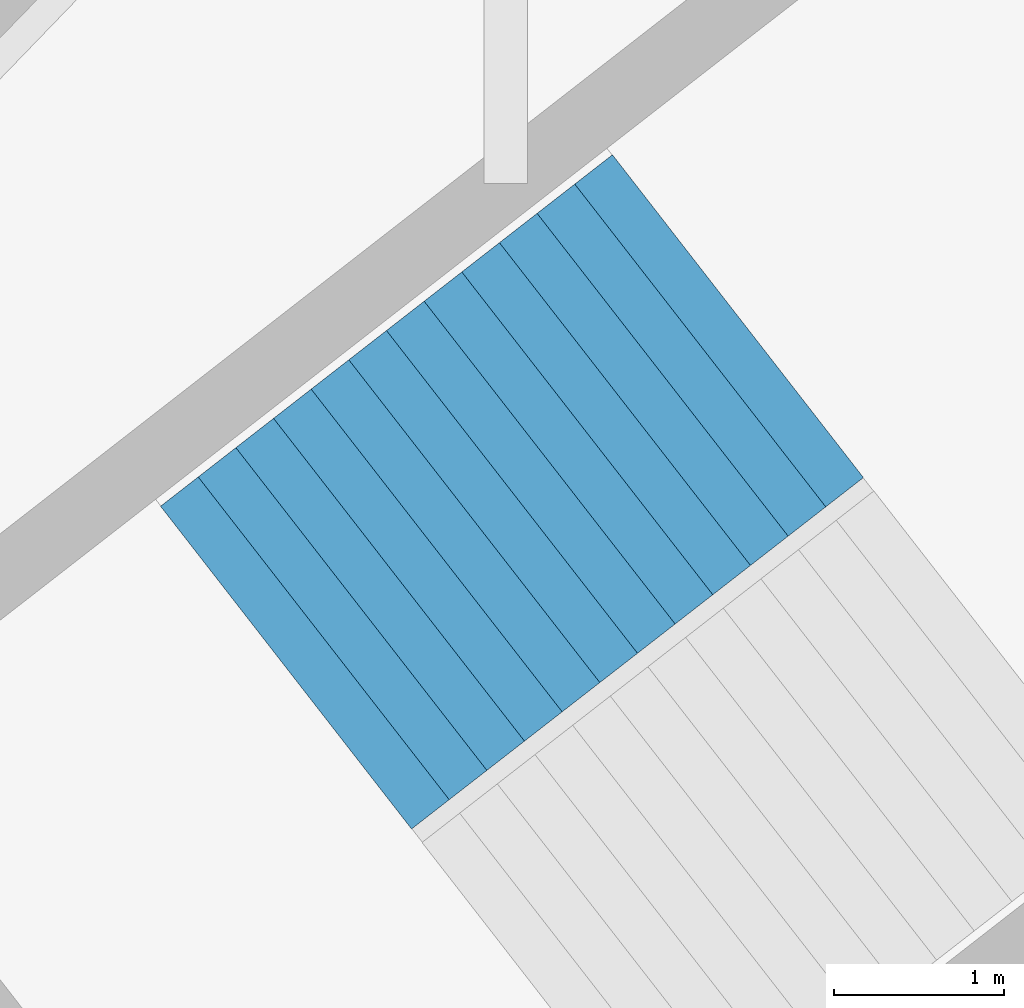
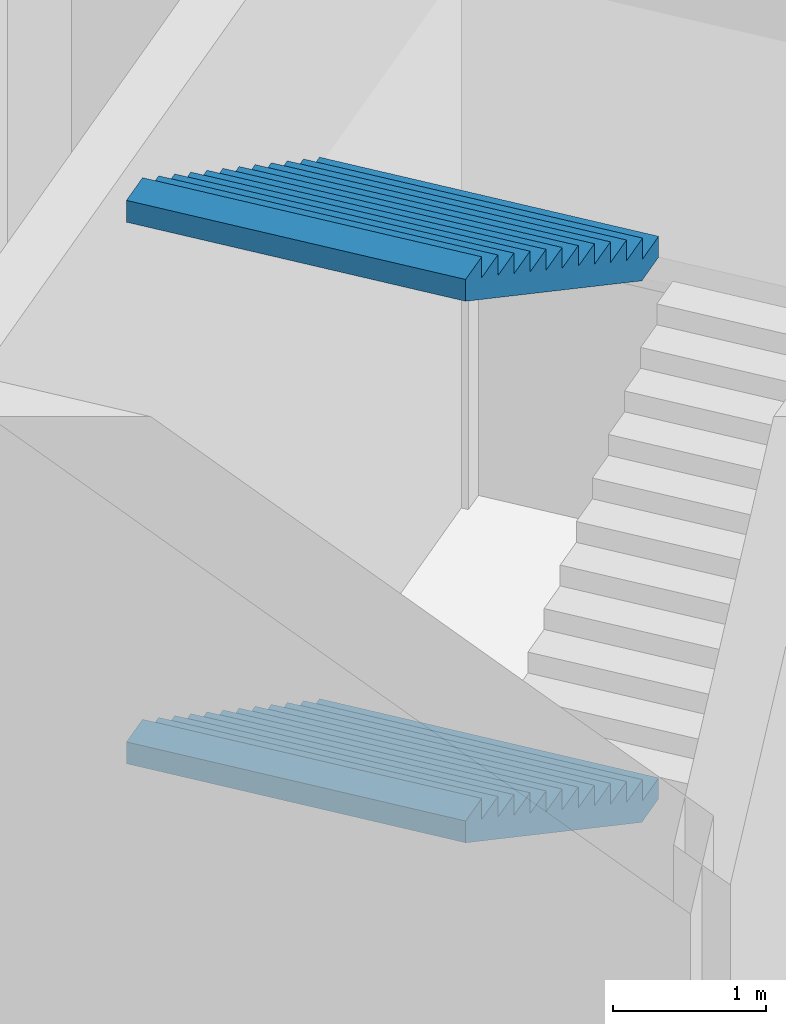
# One storey, part 43 of 47: 2 stair flights, 1 element without a shape of its own.
"""IFC4 building model written with IfcOpenShell, lengths in metres."""

from ifc_helpers import new_model, si_unit, direction, frame, origin, place, context, subcontext, project, spatial, triangles, material, type_object, element, aggregate, save


model = new_model("IFC4")

# Units and contexts
model_context = context("Model", 3, precision=1e-05, world=origin(), true_north=direction((0.0, 1.0)))
body_context = subcontext(model_context, "Body", "Model", "MODEL_VIEW")
ifc_project = project(units=[si_unit("LENGTHUNIT", "METRE"), si_unit("AREAUNIT", "SQUARE_METRE"), si_unit("VOLUMEUNIT", "CUBIC_METRE"), si_unit("PLANEANGLEUNIT", "RADIAN"), si_unit("MASSUNIT", "GRAM", prefix="KILO")], contexts=[model_context])

# Site, building, storey
site_placement = place(None, origin())
site = spatial("IfcSite", under=ifc_project, at=site_placement, CompositionType="ELEMENT")
building_placement = place(site_placement, origin())
building = spatial("IfcBuilding", under=site, at=building_placement, Name="Lantaw Convention Tower", CompositionType="ELEMENT")
storey_placement = place(building_placement, origin())
storey = spatial("IfcBuildingStorey", under=building, at=storey_placement, Name="L00", CompositionType="ELEMENT", Elevation=0.0)

# Stair, stair flights
ifc_material = material(Name="Concrete C35/45", Category="concrete")
stair_type = type_object("IfcStairType", Name="Exit stair 2400 riser 166.67 in 3 flights", PredefinedType="HALF_TURN_STAIR", material=ifc_material)
stair_placement = place(storey_placement, origin())
stair = element("IfcStair", 1, at=stair_placement, inside=storey, type_object=stair_type, Name="Podium exit stair P3 L00", PredefinedType="HALF_TURN_STAIR")
stair_flight_type = type_object("IfcStairFlightType", Name="Stair flight 2400 riser 166.67", PredefinedType="STRAIGHT", material=ifc_material)
stair_flight_1_placement = place(storey_placement, frame((30.612060546875, 25.390625, 0.0), z_axis=(0.0, 0.0, 1.0), x_axis=(-0.789378829664, -0.613906396186, 0.0)))
stair_flight_1 = element("IfcStairFlight", 2, at=stair_flight_1_placement, type_object=stair_flight_type, Name="P3 flight 1", NumberOfRisers=13, NumberOfTreads=12, PredefinedType="STRAIGHT", RiserHeight=0.166666667, TreadLength=0.28, context=body_context, shape_type="Tessellation", body=[
    triangles([(0.0, 1.199951171875, 0.0), (0.0, 1.199951171875, 0.166666667), (0.28, 1.199951171875, 0.0), (0.28, 1.199951171875, 0.166666667), (0.28, 1.199951171875, 0.333333334), (0.29307345806906815, 1.199951171875, 0.0), (0.29307345806906815, 1.199951171875, 0.333333334), (0.56, 1.199951171875, 0.15888484670522912), (0.56, 1.199951171875, 0.333333334), (0.56, 1.199951171875, 0.500000001), (0.8400000000000001, 1.199951171875, 0.3255515137052291), (0.8400000000000001, 1.199951171875, 0.500000001), (0.8400000000000001, 1.199951171875, 0.666666668), (1.12, 1.199951171875, 0.49221818070522905), (1.12, 1.199951171875, 0.666666668), (1.12, 1.199951171875, 0.833333335), (1.4000000000000001, 1.199951171875, 0.658884847705229), (1.4000000000000001, 1.199951171875, 0.833333335), (1.4000000000000001, 1.199951171875, 1.000000002), (1.6800000000000002, 1.199951171875, 0.825551514705229), (1.6800000000000002, 1.199951171875, 1.000000002), (1.6800000000000002, 1.199951171875, 1.166666669), (1.9600000000000002, 1.199951171875, 0.992218181705229), (1.9600000000000002, 1.199951171875, 1.166666669), (1.9600000000000002, 1.199951171875, 1.333333336), (2.24, 1.199951171875, 1.158884848705229), (2.24, 1.199951171875, 1.333333336), (2.24, 1.199951171875, 1.5000000029999998), (2.5200000000000005, 1.199951171875, 1.325551515705229), (2.5200000000000005, 1.199951171875, 1.5000000029999998), (2.5200000000000005, 1.199951171875, 1.66666667), (2.8000000000000003, 1.199951171875, 1.492218182705229), (2.8000000000000003, 1.199951171875, 1.66666667), (2.8000000000000003, 1.199951171875, 1.833333337), (3.08, 1.199951171875, 1.6588848497052289), (3.08, 1.199951171875, 1.833333337), (3.08, 1.199951171875, 2.000000004), (3.3600000000000003, 1.199951171875, 1.825551516705229), (3.3600000000000003, 1.199951171875, 2.000000004), (0.0, -1.199951171875, 0.0), (0.0, -1.199951171875, 0.166666667), (0.28, -1.199951171875, 0.0), (0.28, -1.199951171875, 0.166666667), (0.28, -1.199951171875, 0.333333334), (0.29307345806906815, -1.199951171875, 0.0), (0.29307345806906815, -1.199951171875, 0.333333334), (0.56, -1.199951171875, 0.15888484670522912), (0.56, -1.199951171875, 0.333333334), (0.56, -1.199951171875, 0.500000001), (0.8400000000000001, -1.199951171875, 0.3255515137052291), (0.8400000000000001, -1.199951171875, 0.500000001), (0.8400000000000001, -1.199951171875, 0.666666668), (1.12, -1.199951171875, 0.49221818070522905), (1.12, -1.199951171875, 0.666666668), (1.12, -1.199951171875, 0.833333335), (1.4000000000000001, -1.199951171875, 0.658884847705229), (1.4000000000000001, -1.199951171875, 0.833333335), (1.4000000000000001, -1.199951171875, 1.000000002), (1.6800000000000002, -1.199951171875, 0.825551514705229), (1.6800000000000002, -1.199951171875, 1.000000002), (1.6800000000000002, -1.199951171875, 1.166666669), (1.9600000000000002, -1.199951171875, 0.992218181705229), (1.9600000000000002, -1.199951171875, 1.166666669), (1.9600000000000002, -1.199951171875, 1.333333336), (2.24, -1.199951171875, 1.158884848705229), (2.24, -1.199951171875, 1.333333336), (2.24, -1.199951171875, 1.5000000029999998), (2.5200000000000005, -1.199951171875, 1.325551515705229), (2.5200000000000005, -1.199951171875, 1.5000000029999998), (2.5200000000000005, -1.199951171875, 1.66666667), (2.8000000000000003, -1.199951171875, 1.492218182705229), (2.8000000000000003, -1.199951171875, 1.66666667), (2.8000000000000003, -1.199951171875, 1.833333337), (3.08, -1.199951171875, 1.6588848497052289), (3.08, -1.199951171875, 1.833333337), (3.08, -1.199951171875, 2.000000004), (3.3600000000000003, -1.199951171875, 1.825551516705229), (3.3600000000000003, -1.199951171875, 2.000000004), (0.0, 0.239990234375, 0.166666667), (0.0, 0.239990234375, 0.0), (0.0, 0.0, 0.166666667), (0.0, 0.0, 0.0), (0.0, -0.239990234375, 0.166666667), (0.0, -0.239990234375, 0.0), (0.28, 0.239990234375, 0.333333334), (0.28, 0.239990234375, 0.166666667), (0.28, 0.0, 0.333333334), (0.28, 0.0, 0.166666667), (0.28, -0.239990234375, 0.333333334), (0.28, -0.239990234375, 0.166666667), (0.56, 0.239990234375, 0.500000001), (0.56, 0.239990234375, 0.333333334), (0.56, 0.0, 0.500000001), (0.56, 0.0, 0.333333334), (0.56, -0.239990234375, 0.500000001), (0.56, -0.239990234375, 0.333333334), (0.8400000000000001, 0.239990234375, 0.666666668), (0.8400000000000001, 0.239990234375, 0.500000001), (0.8400000000000001, 0.0, 0.666666668), (0.8400000000000001, 0.0, 0.500000001), (0.8400000000000001, -0.239990234375, 0.666666668), (0.8400000000000001, -0.239990234375, 0.500000001), (1.12, 0.239990234375, 0.833333335), (1.12, 0.239990234375, 0.666666668), (1.12, 0.0, 0.833333335), (1.12, 0.0, 0.666666668), (1.12, -0.239990234375, 0.833333335), (1.12, -0.239990234375, 0.666666668), (1.4000000000000001, 0.239990234375, 1.000000002), (1.4000000000000001, 0.239990234375, 0.833333335), (1.4000000000000001, 0.0, 1.000000002), (1.4000000000000001, 0.0, 0.833333335), (1.4000000000000001, -0.239990234375, 1.000000002), (1.4000000000000001, -0.239990234375, 0.833333335), (1.6800000000000002, 0.239990234375, 1.166666669), (1.6800000000000002, 0.239990234375, 1.000000002), (1.6800000000000002, 0.0, 1.166666669), (1.6800000000000002, 0.0, 1.000000002), (1.6800000000000002, -0.239990234375, 1.166666669), (1.6800000000000002, -0.239990234375, 1.000000002), (1.9600000000000002, 0.239990234375, 1.333333336), (1.9600000000000002, 0.239990234375, 1.166666669), (1.9600000000000002, 0.0, 1.333333336), (1.9600000000000002, 0.0, 1.166666669), (1.9600000000000002, -0.239990234375, 1.333333336), (1.9600000000000002, -0.239990234375, 1.166666669), (2.24, 0.239990234375, 1.5000000029999998), (2.24, 0.239990234375, 1.333333336), (2.24, 0.0, 1.5000000029999998), (2.24, 0.0, 1.333333336), (2.24, -0.239990234375, 1.5000000029999998), (2.24, -0.239990234375, 1.333333336), (2.5200000000000005, 0.239990234375, 1.66666667), (2.5200000000000005, 0.239990234375, 1.5000000029999998), (2.5200000000000005, 0.0, 1.66666667), (2.5200000000000005, 0.0, 1.5000000029999998), (2.5200000000000005, -0.239990234375, 1.66666667), (2.5200000000000005, -0.239990234375, 1.5000000029999998), (2.8000000000000003, 0.239990234375, 1.833333337), (2.8000000000000003, 0.239990234375, 1.66666667), (2.8000000000000003, 0.0, 1.833333337), (2.8000000000000003, 0.0, 1.66666667), (2.8000000000000003, -0.239990234375, 1.833333337), (2.8000000000000003, -0.239990234375, 1.66666667), (3.08, 0.239990234375, 2.000000004), (3.08, 0.239990234375, 1.833333337), (3.08, 0.0, 2.000000004), (3.08, 0.0, 1.833333337), (3.08, -0.239990234375, 2.000000004), (3.08, -0.239990234375, 1.833333337), (0.29307345806906815, 0.239990234375, 0.333333334), (0.29307345806906815, 0.0, 0.333333334), (0.29307345806906815, -0.239990234375, 0.333333334), (3.3600000000000003, 0.239990234375, 2.000000004), (3.3600000000000003, 0.0, 2.000000004), (3.3600000000000003, -0.239990234375, 2.000000004), (3.3600000000000003, 0.239990234375, 1.8255515167052292), (3.3600000000000003, 0.0, 1.8255515167052292), (3.3600000000000003, -0.239990234375, 1.8255515167052292), (3.08, 0.239990234375, 1.6588848497052289), (3.08, 0.0, 1.6588848497052289), (3.08, -0.239990234375, 1.6588848497052289), (2.8000000000000003, 0.239990234375, 1.492218182705229), (2.8000000000000003, 0.0, 1.492218182705229), (2.8000000000000003, -0.239990234375, 1.492218182705229), (2.5200000000000005, 0.239990234375, 1.325551515705229), (2.5200000000000005, 0.0, 1.325551515705229), (2.5200000000000005, -0.239990234375, 1.325551515705229), (2.24, 0.239990234375, 1.158884848705229), (2.24, 0.0, 1.158884848705229), (2.24, -0.239990234375, 1.158884848705229), (1.9600000000000002, 0.239990234375, 0.992218181705229), (1.9600000000000002, 0.0, 0.992218181705229), (1.9600000000000002, -0.239990234375, 0.992218181705229), (1.6800000000000002, 0.239990234375, 0.825551514705229), (1.6800000000000002, 0.0, 0.825551514705229), (1.6800000000000002, -0.239990234375, 0.825551514705229), (1.4000000000000001, 0.239990234375, 0.658884847705229), (1.4000000000000001, 0.0, 0.658884847705229), (1.4000000000000001, -0.239990234375, 0.658884847705229), (1.12, 0.239990234375, 0.49221818070522905), (1.12, 0.0, 0.49221818070522905), (1.12, -0.239990234375, 0.49221818070522905), (0.8400000000000001, 0.239990234375, 0.3255515137052291), (0.8400000000000001, 0.0, 0.3255515137052291), (0.8400000000000001, -0.239990234375, 0.3255515137052291), (0.56, 0.239990234375, 0.15888484670522912), (0.56, 0.0, 0.15888484670522912), (0.56, -0.239990234375, 0.15888484670522912), (0.29307345806906815, 0.239990234375, 0.0), (0.29307345806906815, 0.0, 0.0), (0.29307345806906815, -0.239990234375, 0.0), (0.28, 0.239990234375, 0.0), (0.28, 0.0, 0.0), (0.28, -0.239990234375, 0.0)], [[1, 4, 3], [1, 2, 4], [3, 4, 6], [4, 7, 6], [4, 5, 7], [6, 9, 8], [6, 7, 9], [8, 9, 11], [9, 12, 11], [9, 10, 12], [11, 12, 14], [12, 15, 14], [12, 13, 15], [14, 15, 17], [15, 18, 17], [15, 16, 18], [17, 18, 20], [18, 21, 20], [18, 19, 21], [20, 21, 23], [21, 24, 23], [21, 22, 24], [23, 24, 26], [24, 27, 26], [24, 25, 27], [26, 27, 29], [27, 30, 29], [27, 28, 30], [29, 30, 32], [30, 33, 32], [30, 31, 33], [32, 33, 35], [33, 36, 35], [33, 34, 36], [35, 36, 38], [36, 39, 38], [36, 37, 39], [40, 42, 43], [40, 43, 41], [42, 45, 43], [43, 45, 46], [43, 46, 44], [45, 47, 48], [45, 48, 46], [47, 50, 48], [48, 50, 51], [48, 51, 49], [50, 53, 51], [51, 53, 54], [51, 54, 52], [53, 56, 54], [54, 56, 57], [54, 57, 55], [56, 59, 57], [57, 59, 60], [57, 60, 58], [59, 62, 60], [60, 62, 63], [60, 63, 61], [62, 65, 63], [63, 65, 66], [63, 66, 64], [65, 68, 66], [66, 68, 69], [66, 69, 67], [68, 71, 69], [69, 71, 72], [69, 72, 70], [71, 74, 72], [72, 74, 75], [72, 75, 73], [74, 77, 75], [75, 77, 78], [75, 78, 76], [1, 79, 2], [1, 80, 79], [80, 81, 79], [80, 82, 81], [82, 83, 81], [82, 84, 83], [84, 41, 83], [84, 40, 41], [4, 85, 5], [4, 86, 85], [86, 87, 85], [86, 88, 87], [88, 89, 87], [88, 90, 89], [90, 44, 89], [90, 43, 44], [9, 91, 10], [9, 92, 91], [92, 93, 91], [92, 94, 93], [94, 95, 93], [94, 96, 95], [96, 49, 95], [96, 48, 49], [12, 97, 13], [12, 98, 97], [98, 99, 97], [98, 100, 99], [100, 101, 99], [100, 102, 101], [102, 52, 101], [102, 51, 52], [15, 103, 16], [15, 104, 103], [104, 105, 103], [104, 106, 105], [106, 107, 105], [106, 108, 107], [108, 55, 107], [108, 54, 55], [18, 109, 19], [18, 110, 109], [110, 111, 109], [110, 112, 111], [112, 113, 111], [112, 114, 113], [114, 58, 113], [114, 57, 58], [21, 115, 22], [21, 116, 115], [116, 117, 115], [116, 118, 117], [118, 119, 117], [118, 120, 119], [120, 61, 119], [120, 60, 61], [24, 121, 25], [24, 122, 121], [122, 123, 121], [122, 124, 123], [124, 125, 123], [124, 126, 125], [126, 64, 125], [126, 63, 64], [27, 127, 28], [27, 128, 127], [128, 129, 127], [128, 130, 129], [130, 131, 129], [130, 132, 131], [132, 67, 131], [132, 66, 67], [30, 133, 31], [30, 134, 133], [134, 135, 133], [134, 136, 135], [136, 137, 135], [136, 138, 137], [138, 70, 137], [138, 69, 70], [33, 139, 34], [33, 140, 139], [140, 141, 139], [140, 142, 141], [142, 143, 141], [142, 144, 143], [144, 73, 143], [144, 72, 73], [36, 145, 37], [36, 146, 145], [146, 147, 145], [146, 148, 147], [148, 149, 147], [148, 150, 149], [150, 76, 149], [150, 75, 76], [2, 86, 4], [2, 79, 86], [79, 88, 86], [79, 81, 88], [81, 90, 88], [81, 83, 90], [83, 43, 90], [83, 41, 43], [5, 151, 7], [5, 85, 151], [85, 152, 151], [85, 87, 152], [87, 153, 152], [87, 89, 153], [89, 46, 153], [89, 44, 46], [7, 92, 9], [7, 151, 92], [151, 94, 92], [151, 152, 94], [152, 96, 94], [152, 153, 96], [153, 48, 96], [153, 46, 48], [10, 98, 12], [10, 91, 98], [91, 100, 98], [91, 93, 100], [93, 102, 100], [93, 95, 102], [95, 51, 102], [95, 49, 51], [13, 104, 15], [13, 97, 104], [97, 106, 104], [97, 99, 106], [99, 108, 106], [99, 101, 108], [101, 54, 108], [101, 52, 54], [16, 110, 18], [16, 103, 110], [103, 112, 110], [103, 105, 112], [105, 114, 112], [105, 107, 114], [107, 57, 114], [107, 55, 57], [19, 116, 21], [19, 109, 116], [109, 118, 116], [109, 111, 118], [111, 120, 118], [111, 113, 120], [113, 60, 120], [113, 58, 60], [22, 122, 24], [22, 115, 122], [115, 124, 122], [115, 117, 124], [117, 126, 124], [117, 119, 126], [119, 63, 126], [119, 61, 63], [25, 128, 27], [25, 121, 128], [121, 130, 128], [121, 123, 130], [123, 132, 130], [123, 125, 132], [125, 66, 132], [125, 64, 66], [28, 134, 30], [28, 127, 134], [127, 136, 134], [127, 129, 136], [129, 138, 136], [129, 131, 138], [131, 69, 138], [131, 67, 69], [31, 140, 33], [31, 133, 140], [133, 142, 140], [133, 135, 142], [135, 144, 142], [135, 137, 144], [137, 72, 144], [137, 70, 72], [34, 146, 36], [34, 139, 146], [139, 148, 146], [139, 141, 148], [141, 150, 148], [141, 143, 150], [143, 75, 150], [143, 73, 75], [37, 154, 39], [37, 145, 154], [145, 155, 154], [145, 147, 155], [147, 156, 155], [147, 149, 156], [149, 78, 156], [149, 76, 78], [39, 157, 38], [39, 154, 157], [154, 158, 157], [154, 155, 158], [155, 159, 158], [155, 156, 159], [156, 77, 159], [156, 78, 77], [38, 160, 35], [38, 157, 160], [157, 161, 160], [157, 158, 161], [158, 162, 161], [158, 159, 162], [159, 74, 162], [159, 77, 74], [35, 163, 32], [35, 160, 163], [160, 164, 163], [160, 161, 164], [161, 165, 164], [161, 162, 165], [162, 71, 165], [162, 74, 71], [32, 166, 29], [32, 163, 166], [163, 167, 166], [163, 164, 167], [164, 168, 167], [164, 165, 168], [165, 68, 168], [165, 71, 68], [29, 169, 26], [29, 166, 169], [166, 170, 169], [166, 167, 170], [167, 171, 170], [167, 168, 171], [168, 65, 171], [168, 68, 65], [26, 172, 23], [26, 169, 172], [169, 173, 172], [169, 170, 173], [170, 174, 173], [170, 171, 174], [171, 62, 174], [171, 65, 62], [23, 175, 20], [23, 172, 175], [172, 176, 175], [172, 173, 176], [173, 177, 176], [173, 174, 177], [174, 59, 177], [174, 62, 59], [20, 178, 17], [20, 175, 178], [175, 179, 178], [175, 176, 179], [176, 180, 179], [176, 177, 180], [177, 56, 180], [177, 59, 56], [17, 181, 14], [17, 178, 181], [178, 182, 181], [178, 179, 182], [179, 183, 182], [179, 180, 183], [180, 53, 183], [180, 56, 53], [14, 184, 11], [14, 181, 184], [181, 185, 184], [181, 182, 185], [182, 186, 185], [182, 183, 186], [183, 50, 186], [183, 53, 50], [11, 187, 8], [11, 184, 187], [184, 188, 187], [184, 185, 188], [185, 189, 188], [185, 186, 189], [186, 47, 189], [186, 50, 47], [8, 190, 6], [8, 187, 190], [187, 191, 190], [187, 188, 191], [188, 192, 191], [188, 189, 192], [189, 45, 192], [189, 47, 45], [6, 193, 3], [6, 190, 193], [190, 194, 193], [190, 191, 194], [191, 195, 194], [191, 192, 195], [192, 42, 195], [192, 45, 42], [3, 80, 1], [3, 193, 80], [193, 82, 80], [193, 194, 82], [194, 84, 82], [194, 195, 84], [195, 40, 84], [195, 42, 40]], closed=True),
])
stair_flight_2_placement = place(storey_placement, frame((30.612060546875, 25.390625, 4.333251953125), z_axis=(0.0, 0.0, 1.0), x_axis=(-0.789378829664, -0.613906396186, 0.0)))
stair_flight_2 = element("IfcStairFlight", 3, at=stair_flight_2_placement, type_object=stair_flight_type, Name="P3 flight 3", NumberOfRisers=13, NumberOfTreads=12, PredefinedType="STRAIGHT", RiserHeight=0.166666667, TreadLength=0.28, context=body_context, shape_type="Tessellation", body=[
    triangles([(0.0, 1.199951171875, 0.0), (0.0, 1.199951171875, 0.166666667), (0.28, 1.199951171875, 0.0), (0.28, 1.199951171875, 0.166666667), (0.28, 1.199951171875, 0.333333334), (0.29307345806906815, 1.199951171875, 0.0), (0.29307345806906815, 1.199951171875, 0.333333334), (0.56, 1.199951171875, 0.15888484670522912), (0.56, 1.199951171875, 0.333333334), (0.56, 1.199951171875, 0.500000001), (0.8400000000000001, 1.199951171875, 0.3255515137052291), (0.8400000000000001, 1.199951171875, 0.500000001), (0.8400000000000001, 1.199951171875, 0.666666668), (1.12, 1.199951171875, 0.49221818070522905), (1.12, 1.199951171875, 0.666666668), (1.12, 1.199951171875, 0.833333335), (1.4000000000000001, 1.199951171875, 0.658884847705229), (1.4000000000000001, 1.199951171875, 0.833333335), (1.4000000000000001, 1.199951171875, 1.000000002), (1.6800000000000002, 1.199951171875, 0.825551514705229), (1.6800000000000002, 1.199951171875, 1.000000002), (1.6800000000000002, 1.199951171875, 1.166666669), (1.9600000000000002, 1.199951171875, 0.992218181705229), (1.9600000000000002, 1.199951171875, 1.166666669), (1.9600000000000002, 1.199951171875, 1.333333336), (2.24, 1.199951171875, 1.158884848705229), (2.24, 1.199951171875, 1.333333336), (2.24, 1.199951171875, 1.5000000029999998), (2.5200000000000005, 1.199951171875, 1.325551515705229), (2.5200000000000005, 1.199951171875, 1.5000000029999998), (2.5200000000000005, 1.199951171875, 1.66666667), (2.8000000000000003, 1.199951171875, 1.492218182705229), (2.8000000000000003, 1.199951171875, 1.66666667), (2.8000000000000003, 1.199951171875, 1.833333337), (3.08, 1.199951171875, 1.6588848497052289), (3.08, 1.199951171875, 1.833333337), (3.08, 1.199951171875, 2.000000004), (3.3600000000000003, 1.199951171875, 1.825551516705229), (3.3600000000000003, 1.199951171875, 2.000000004), (0.0, -1.199951171875, 0.0), (0.0, -1.199951171875, 0.166666667), (0.28, -1.199951171875, 0.0), (0.28, -1.199951171875, 0.166666667), (0.28, -1.199951171875, 0.333333334), (0.29307345806906815, -1.199951171875, 0.0), (0.29307345806906815, -1.199951171875, 0.333333334), (0.56, -1.199951171875, 0.15888484670522912), (0.56, -1.199951171875, 0.333333334), (0.56, -1.199951171875, 0.500000001), (0.8400000000000001, -1.199951171875, 0.3255515137052291), (0.8400000000000001, -1.199951171875, 0.500000001), (0.8400000000000001, -1.199951171875, 0.666666668), (1.12, -1.199951171875, 0.49221818070522905), (1.12, -1.199951171875, 0.666666668), (1.12, -1.199951171875, 0.833333335), (1.4000000000000001, -1.199951171875, 0.658884847705229), (1.4000000000000001, -1.199951171875, 0.833333335), (1.4000000000000001, -1.199951171875, 1.000000002), (1.6800000000000002, -1.199951171875, 0.825551514705229), (1.6800000000000002, -1.199951171875, 1.000000002), (1.6800000000000002, -1.199951171875, 1.166666669), (1.9600000000000002, -1.199951171875, 0.992218181705229), (1.9600000000000002, -1.199951171875, 1.166666669), (1.9600000000000002, -1.199951171875, 1.333333336), (2.24, -1.199951171875, 1.158884848705229), (2.24, -1.199951171875, 1.333333336), (2.24, -1.199951171875, 1.5000000029999998), (2.5200000000000005, -1.199951171875, 1.325551515705229), (2.5200000000000005, -1.199951171875, 1.5000000029999998), (2.5200000000000005, -1.199951171875, 1.66666667), (2.8000000000000003, -1.199951171875, 1.492218182705229), (2.8000000000000003, -1.199951171875, 1.66666667), (2.8000000000000003, -1.199951171875, 1.833333337), (3.08, -1.199951171875, 1.6588848497052289), (3.08, -1.199951171875, 1.833333337), (3.08, -1.199951171875, 2.000000004), (3.3600000000000003, -1.199951171875, 1.825551516705229), (3.3600000000000003, -1.199951171875, 2.000000004), (0.0, 0.239990234375, 0.166666667), (0.0, 0.239990234375, 0.0), (0.0, 0.0, 0.166666667), (0.0, 0.0, 0.0), (0.0, -0.239990234375, 0.166666667), (0.0, -0.239990234375, 0.0), (0.28, 0.239990234375, 0.333333334), (0.28, 0.239990234375, 0.166666667), (0.28, 0.0, 0.333333334), (0.28, 0.0, 0.166666667), (0.28, -0.239990234375, 0.333333334), (0.28, -0.239990234375, 0.166666667), (0.56, 0.239990234375, 0.500000001), (0.56, 0.239990234375, 0.333333334), (0.56, 0.0, 0.500000001), (0.56, 0.0, 0.333333334), (0.56, -0.239990234375, 0.500000001), (0.56, -0.239990234375, 0.333333334), (0.8400000000000001, 0.239990234375, 0.666666668), (0.8400000000000001, 0.239990234375, 0.500000001), (0.8400000000000001, 0.0, 0.666666668), (0.8400000000000001, 0.0, 0.500000001), (0.8400000000000001, -0.239990234375, 0.666666668), (0.8400000000000001, -0.239990234375, 0.500000001), (1.12, 0.239990234375, 0.833333335), (1.12, 0.239990234375, 0.666666668), (1.12, 0.0, 0.833333335), (1.12, 0.0, 0.666666668), (1.12, -0.239990234375, 0.833333335), (1.12, -0.239990234375, 0.666666668), (1.4000000000000001, 0.239990234375, 1.000000002), (1.4000000000000001, 0.239990234375, 0.833333335), (1.4000000000000001, 0.0, 1.000000002), (1.4000000000000001, 0.0, 0.833333335), (1.4000000000000001, -0.239990234375, 1.000000002), (1.4000000000000001, -0.239990234375, 0.833333335), (1.6800000000000002, 0.239990234375, 1.166666669), (1.6800000000000002, 0.239990234375, 1.000000002), (1.6800000000000002, 0.0, 1.166666669), (1.6800000000000002, 0.0, 1.000000002), (1.6800000000000002, -0.239990234375, 1.166666669), (1.6800000000000002, -0.239990234375, 1.000000002), (1.9600000000000002, 0.239990234375, 1.333333336), (1.9600000000000002, 0.239990234375, 1.166666669), (1.9600000000000002, 0.0, 1.333333336), (1.9600000000000002, 0.0, 1.166666669), (1.9600000000000002, -0.239990234375, 1.333333336), (1.9600000000000002, -0.239990234375, 1.166666669), (2.24, 0.239990234375, 1.5000000029999998), (2.24, 0.239990234375, 1.333333336), (2.24, 0.0, 1.5000000029999998), (2.24, 0.0, 1.333333336), (2.24, -0.239990234375, 1.5000000029999998), (2.24, -0.239990234375, 1.333333336), (2.5200000000000005, 0.239990234375, 1.66666667), (2.5200000000000005, 0.239990234375, 1.5000000029999998), (2.5200000000000005, 0.0, 1.66666667), (2.5200000000000005, 0.0, 1.5000000029999998), (2.5200000000000005, -0.239990234375, 1.66666667), (2.5200000000000005, -0.239990234375, 1.5000000029999998), (2.8000000000000003, 0.239990234375, 1.833333337), (2.8000000000000003, 0.239990234375, 1.66666667), (2.8000000000000003, 0.0, 1.833333337), (2.8000000000000003, 0.0, 1.66666667), (2.8000000000000003, -0.239990234375, 1.833333337), (2.8000000000000003, -0.239990234375, 1.66666667), (3.08, 0.239990234375, 2.000000004), (3.08, 0.239990234375, 1.833333337), (3.08, 0.0, 2.000000004), (3.08, 0.0, 1.833333337), (3.08, -0.239990234375, 2.000000004), (3.08, -0.239990234375, 1.833333337), (0.29307345806906815, 0.239990234375, 0.333333334), (0.29307345806906815, 0.0, 0.333333334), (0.29307345806906815, -0.239990234375, 0.333333334), (3.3600000000000003, 0.239990234375, 2.000000004), (3.3600000000000003, 0.0, 2.000000004), (3.3600000000000003, -0.239990234375, 2.000000004), (3.3600000000000003, 0.239990234375, 1.8255515167052292), (3.3600000000000003, 0.0, 1.8255515167052292), (3.3600000000000003, -0.239990234375, 1.8255515167052292), (3.08, 0.239990234375, 1.6588848497052289), (3.08, 0.0, 1.6588848497052289), (3.08, -0.239990234375, 1.6588848497052289), (2.8000000000000003, 0.239990234375, 1.492218182705229), (2.8000000000000003, 0.0, 1.492218182705229), (2.8000000000000003, -0.239990234375, 1.492218182705229), (2.5200000000000005, 0.239990234375, 1.325551515705229), (2.5200000000000005, 0.0, 1.325551515705229), (2.5200000000000005, -0.239990234375, 1.325551515705229), (2.24, 0.239990234375, 1.158884848705229), (2.24, 0.0, 1.158884848705229), (2.24, -0.239990234375, 1.158884848705229), (1.9600000000000002, 0.239990234375, 0.992218181705229), (1.9600000000000002, 0.0, 0.992218181705229), (1.9600000000000002, -0.239990234375, 0.992218181705229), (1.6800000000000002, 0.239990234375, 0.825551514705229), (1.6800000000000002, 0.0, 0.825551514705229), (1.6800000000000002, -0.239990234375, 0.825551514705229), (1.4000000000000001, 0.239990234375, 0.658884847705229), (1.4000000000000001, 0.0, 0.658884847705229), (1.4000000000000001, -0.239990234375, 0.658884847705229), (1.12, 0.239990234375, 0.49221818070522905), (1.12, 0.0, 0.49221818070522905), (1.12, -0.239990234375, 0.49221818070522905), (0.8400000000000001, 0.239990234375, 0.3255515137052291), (0.8400000000000001, 0.0, 0.3255515137052291), (0.8400000000000001, -0.239990234375, 0.3255515137052291), (0.56, 0.239990234375, 0.15888484670522912), (0.56, 0.0, 0.15888484670522912), (0.56, -0.239990234375, 0.15888484670522912), (0.29307345806906815, 0.239990234375, 0.0), (0.29307345806906815, 0.0, 0.0), (0.29307345806906815, -0.239990234375, 0.0), (0.28, 0.239990234375, 0.0), (0.28, 0.0, 0.0), (0.28, -0.239990234375, 0.0)], [[1, 4, 3], [1, 2, 4], [3, 4, 6], [4, 7, 6], [4, 5, 7], [6, 9, 8], [6, 7, 9], [8, 9, 11], [9, 12, 11], [9, 10, 12], [11, 12, 14], [12, 15, 14], [12, 13, 15], [14, 15, 17], [15, 18, 17], [15, 16, 18], [17, 18, 20], [18, 21, 20], [18, 19, 21], [20, 21, 23], [21, 24, 23], [21, 22, 24], [23, 24, 26], [24, 27, 26], [24, 25, 27], [26, 27, 29], [27, 30, 29], [27, 28, 30], [29, 30, 32], [30, 33, 32], [30, 31, 33], [32, 33, 35], [33, 36, 35], [33, 34, 36], [35, 36, 38], [36, 39, 38], [36, 37, 39], [40, 42, 43], [40, 43, 41], [42, 45, 43], [43, 45, 46], [43, 46, 44], [45, 47, 48], [45, 48, 46], [47, 50, 48], [48, 50, 51], [48, 51, 49], [50, 53, 51], [51, 53, 54], [51, 54, 52], [53, 56, 54], [54, 56, 57], [54, 57, 55], [56, 59, 57], [57, 59, 60], [57, 60, 58], [59, 62, 60], [60, 62, 63], [60, 63, 61], [62, 65, 63], [63, 65, 66], [63, 66, 64], [65, 68, 66], [66, 68, 69], [66, 69, 67], [68, 71, 69], [69, 71, 72], [69, 72, 70], [71, 74, 72], [72, 74, 75], [72, 75, 73], [74, 77, 75], [75, 77, 78], [75, 78, 76], [1, 79, 2], [1, 80, 79], [80, 81, 79], [80, 82, 81], [82, 83, 81], [82, 84, 83], [84, 41, 83], [84, 40, 41], [4, 85, 5], [4, 86, 85], [86, 87, 85], [86, 88, 87], [88, 89, 87], [88, 90, 89], [90, 44, 89], [90, 43, 44], [9, 91, 10], [9, 92, 91], [92, 93, 91], [92, 94, 93], [94, 95, 93], [94, 96, 95], [96, 49, 95], [96, 48, 49], [12, 97, 13], [12, 98, 97], [98, 99, 97], [98, 100, 99], [100, 101, 99], [100, 102, 101], [102, 52, 101], [102, 51, 52], [15, 103, 16], [15, 104, 103], [104, 105, 103], [104, 106, 105], [106, 107, 105], [106, 108, 107], [108, 55, 107], [108, 54, 55], [18, 109, 19], [18, 110, 109], [110, 111, 109], [110, 112, 111], [112, 113, 111], [112, 114, 113], [114, 58, 113], [114, 57, 58], [21, 115, 22], [21, 116, 115], [116, 117, 115], [116, 118, 117], [118, 119, 117], [118, 120, 119], [120, 61, 119], [120, 60, 61], [24, 121, 25], [24, 122, 121], [122, 123, 121], [122, 124, 123], [124, 125, 123], [124, 126, 125], [126, 64, 125], [126, 63, 64], [27, 127, 28], [27, 128, 127], [128, 129, 127], [128, 130, 129], [130, 131, 129], [130, 132, 131], [132, 67, 131], [132, 66, 67], [30, 133, 31], [30, 134, 133], [134, 135, 133], [134, 136, 135], [136, 137, 135], [136, 138, 137], [138, 70, 137], [138, 69, 70], [33, 139, 34], [33, 140, 139], [140, 141, 139], [140, 142, 141], [142, 143, 141], [142, 144, 143], [144, 73, 143], [144, 72, 73], [36, 145, 37], [36, 146, 145], [146, 147, 145], [146, 148, 147], [148, 149, 147], [148, 150, 149], [150, 76, 149], [150, 75, 76], [2, 86, 4], [2, 79, 86], [79, 88, 86], [79, 81, 88], [81, 90, 88], [81, 83, 90], [83, 43, 90], [83, 41, 43], [5, 151, 7], [5, 85, 151], [85, 152, 151], [85, 87, 152], [87, 153, 152], [87, 89, 153], [89, 46, 153], [89, 44, 46], [7, 92, 9], [7, 151, 92], [151, 94, 92], [151, 152, 94], [152, 96, 94], [152, 153, 96], [153, 48, 96], [153, 46, 48], [10, 98, 12], [10, 91, 98], [91, 100, 98], [91, 93, 100], [93, 102, 100], [93, 95, 102], [95, 51, 102], [95, 49, 51], [13, 104, 15], [13, 97, 104], [97, 106, 104], [97, 99, 106], [99, 108, 106], [99, 101, 108], [101, 54, 108], [101, 52, 54], [16, 110, 18], [16, 103, 110], [103, 112, 110], [103, 105, 112], [105, 114, 112], [105, 107, 114], [107, 57, 114], [107, 55, 57], [19, 116, 21], [19, 109, 116], [109, 118, 116], [109, 111, 118], [111, 120, 118], [111, 113, 120], [113, 60, 120], [113, 58, 60], [22, 122, 24], [22, 115, 122], [115, 124, 122], [115, 117, 124], [117, 126, 124], [117, 119, 126], [119, 63, 126], [119, 61, 63], [25, 128, 27], [25, 121, 128], [121, 130, 128], [121, 123, 130], [123, 132, 130], [123, 125, 132], [125, 66, 132], [125, 64, 66], [28, 134, 30], [28, 127, 134], [127, 136, 134], [127, 129, 136], [129, 138, 136], [129, 131, 138], [131, 69, 138], [131, 67, 69], [31, 140, 33], [31, 133, 140], [133, 142, 140], [133, 135, 142], [135, 144, 142], [135, 137, 144], [137, 72, 144], [137, 70, 72], [34, 146, 36], [34, 139, 146], [139, 148, 146], [139, 141, 148], [141, 150, 148], [141, 143, 150], [143, 75, 150], [143, 73, 75], [37, 154, 39], [37, 145, 154], [145, 155, 154], [145, 147, 155], [147, 156, 155], [147, 149, 156], [149, 78, 156], [149, 76, 78], [39, 157, 38], [39, 154, 157], [154, 158, 157], [154, 155, 158], [155, 159, 158], [155, 156, 159], [156, 77, 159], [156, 78, 77], [38, 160, 35], [38, 157, 160], [157, 161, 160], [157, 158, 161], [158, 162, 161], [158, 159, 162], [159, 74, 162], [159, 77, 74], [35, 163, 32], [35, 160, 163], [160, 164, 163], [160, 161, 164], [161, 165, 164], [161, 162, 165], [162, 71, 165], [162, 74, 71], [32, 166, 29], [32, 163, 166], [163, 167, 166], [163, 164, 167], [164, 168, 167], [164, 165, 168], [165, 68, 168], [165, 71, 68], [29, 169, 26], [29, 166, 169], [166, 170, 169], [166, 167, 170], [167, 171, 170], [167, 168, 171], [168, 65, 171], [168, 68, 65], [26, 172, 23], [26, 169, 172], [169, 173, 172], [169, 170, 173], [170, 174, 173], [170, 171, 174], [171, 62, 174], [171, 65, 62], [23, 175, 20], [23, 172, 175], [172, 176, 175], [172, 173, 176], [173, 177, 176], [173, 174, 177], [174, 59, 177], [174, 62, 59], [20, 178, 17], [20, 175, 178], [175, 179, 178], [175, 176, 179], [176, 180, 179], [176, 177, 180], [177, 56, 180], [177, 59, 56], [17, 181, 14], [17, 178, 181], [178, 182, 181], [178, 179, 182], [179, 183, 182], [179, 180, 183], [180, 53, 183], [180, 56, 53], [14, 184, 11], [14, 181, 184], [181, 185, 184], [181, 182, 185], [182, 186, 185], [182, 183, 186], [183, 50, 186], [183, 53, 50], [11, 187, 8], [11, 184, 187], [184, 188, 187], [184, 185, 188], [185, 189, 188], [185, 186, 189], [186, 47, 189], [186, 50, 47], [8, 190, 6], [8, 187, 190], [187, 191, 190], [187, 188, 191], [188, 192, 191], [188, 189, 192], [189, 45, 192], [189, 47, 45], [6, 193, 3], [6, 190, 193], [190, 194, 193], [190, 191, 194], [191, 195, 194], [191, 192, 195], [192, 42, 195], [192, 45, 42], [3, 80, 1], [3, 193, 80], [193, 82, 80], [193, 194, 82], [194, 84, 82], [194, 195, 84], [195, 40, 84], [195, 42, 40]], closed=True),
])
aggregate(stair, [stair_flight_1, stair_flight_2])

save(model, "model.ifc")
